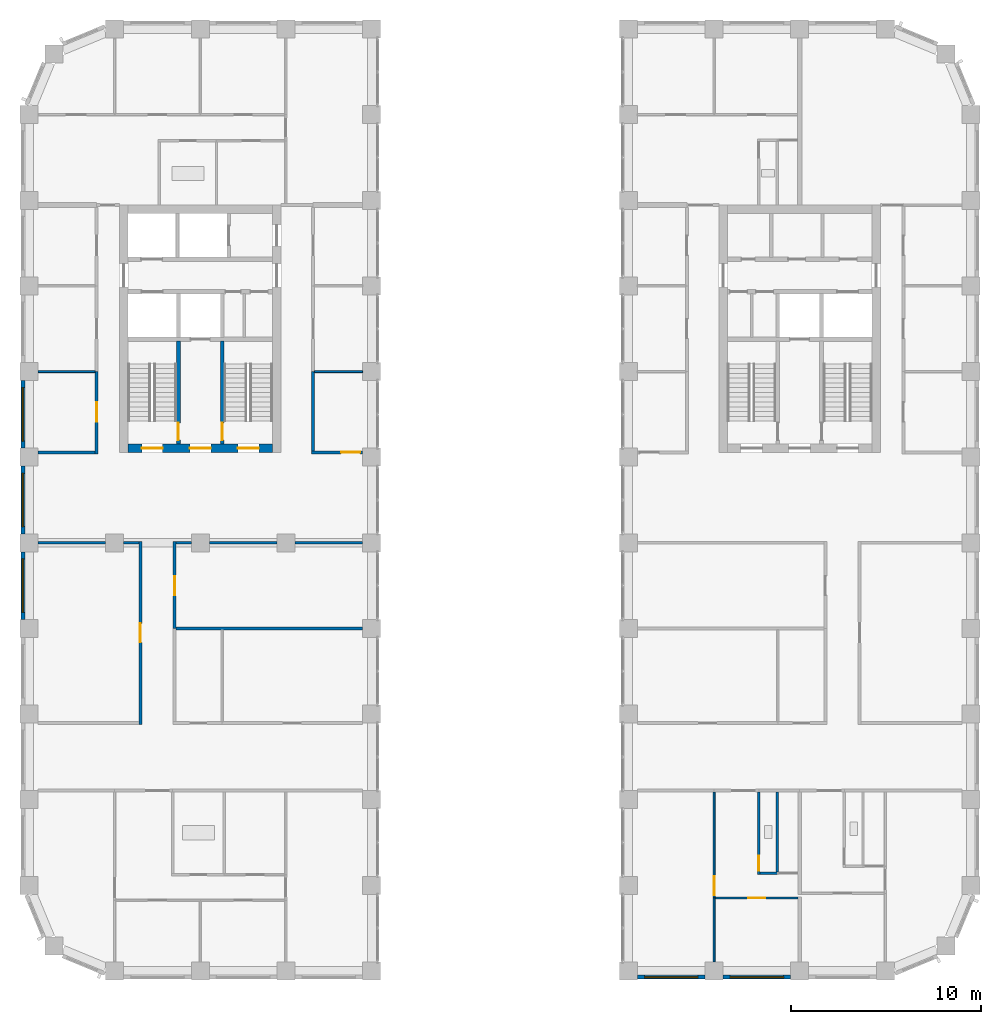
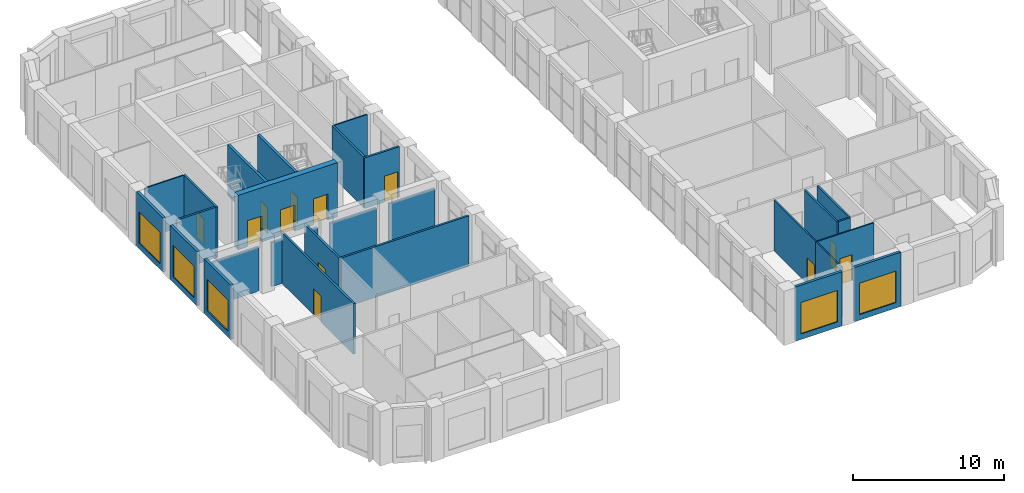
# One storey, part 10 of 19: 28 walls, 12 doors, 5 windows, 17 openings.
"""IFC4 building model written with IfcOpenShell, lengths in metres."""

from ifc_helpers import new_model, si_unit, direction, frame, frame_2d, origin, place, context, subcontext, project, spatial, rectangle, extrude, material, layer, layer_set, type_object, element, fill, save


model = new_model("IFC4")

# Units and contexts
model_context = context("Model", 3, precision=1e-05, world=origin(), true_north=direction((0.0, 1.0)))
body_context = subcontext(model_context, "Body", "Model", "MODEL_VIEW")
ifc_project = project(units=[si_unit("LENGTHUNIT", "METRE"), si_unit("AREAUNIT", "SQUARE_METRE"), si_unit("VOLUMEUNIT", "CUBIC_METRE"), si_unit("PLANEANGLEUNIT", "RADIAN"), si_unit("MASSUNIT", "GRAM", prefix="KILO")], contexts=[model_context])

# Site, building, storey
site_placement = place(None, origin())
site = spatial("IfcSite", under=ifc_project, at=site_placement, CompositionType="ELEMENT")
building_placement = place(site_placement, origin())
building = spatial("IfcBuilding", under=site, at=building_placement, Name="Girih Gate Residences", CompositionType="ELEMENT")
storey_placement = place(building_placement, frame((0.0, 0.0, 163.800048828125)))
storey = spatial("IfcBuildingStorey", under=building, at=storey_placement, Name="L45", CompositionType="ELEMENT", Elevation=163.800048828125)

# Walls
ifc_material_1 = material(Name="Gypsum board on steel studs", Category="steel")
ifc_layer_1 = layer(ifc_material_1, 0.14990234375)
ifc_layer_set_1 = layer_set([ifc_layer_1], Name="Compartment wall 150 mm")
wall_type_1 = type_object("IfcWallType", Name="Compartment wall 150 mm", PredefinedType="PARTITIONING", material=ifc_layer_set_1)
wall_1_placement = place(storey_placement, frame((7.72509765625, 22.5, 0.0), z_axis=(0.0, 0.0, 1.0), x_axis=(1.0, 0.0, 0.0)))
element("IfcWall", 1, at=wall_1_placement, inside=storey, type_object=wall_type_1, Name="L45 partition", PredefinedType="PARTITIONING", context=body_context, shape_type="SweptSolid", body=[
    extrude(rectangle(XDim=0.7998046875, YDim=0.14990234375, at=frame_2d((0.39990234375, 0.0))), origin(), (0.0, 0.0, 1.0), 3.579833984375),
])
for number, where, z_axis, x_axis, name in (
    (2, (9.47509765625, 22.5, 0.0), (0.0, 0.0, 1.0), (1.0, 0.0, 0.0), "L45 partition"),
    (3, (13.97509765625, 22.5, 0.0), (0.0, 0.0, 1.0), (1.0, 0.0, 0.0), "L45 partition"),
):
    element("IfcWall", number, at=place(storey_placement, frame(where, z_axis=z_axis, x_axis=x_axis)), inside=storey, type_object=wall_type_1, Name=name, PredefinedType="PARTITIONING", context=body_context, shape_type="SweptSolid", body=[
        extrude(rectangle(XDim=3.5498046875, YDim=0.14990234375, at=frame_2d((1.77490234375, 0.0))), origin(), (0.0, 0.0, 1.0), 3.579833984375),
    ])

# Wall, opening, door
wall_2_placement = place(storey_placement, frame((7.64990234375, 22.574951171875, 0.0), z_axis=(0.0, 0.0, 1.0), x_axis=(0.0, -1.0, 0.0)))
wall_2 = element("IfcWall", 4, at=wall_2_placement, inside=storey, type_object=wall_type_1, Name="L45 partition", PredefinedType="PARTITIONING", context=body_context, shape_type="SweptSolid", body=[
    extrude(rectangle(XDim=4.574951171875, YDim=0.14990234375, at=frame_2d((2.28759765625, 0.0))), origin(), (0.0, 0.0, 1.0), 4.099853515625),
])
opening_1_placement = place(wall_2_placement, frame((1.824951171875, 0.0, 0.0)))
opening_1 = element("IfcOpeningElement", 5, at=opening_1_placement, cuts=wall_2, Name="Opening A45-031", PredefinedType="OPENING", context=body_context, shape_type="SweptSolid", body=[
    extrude(rectangle(XDim=1.0, YDim=2.10009765625, at=frame_2d((0.5, 1.050048828125))), frame((0.0, 0.0849609375, 0.0), z_axis=(0.0, -1.0, 0.0), x_axis=(1.0, 0.0, 0.0)), (0.0, 0.0, 1.0), 0.169921875),
])
ifc_material_2 = material(Name="Timber, fire-rated core", Category="wood")
door_type_1 = type_object("IfcDoorType", Name="Amenity room door 1000x2100 FD30S", OperationType="NOTDEFINED", PredefinedType="DOOR", material=ifc_material_2)
door_1_placement = place(opening_1_placement, origin())
door_1 = element("IfcDoor", 6, at=door_1_placement, inside=storey, type_object=door_type_1, Name="Door A45-031", OperationType="SINGLE_SWING_RIGHT", OverallHeight=2.10009765625, OverallWidth=1.0, PredefinedType="DOOR", context=body_context, shape_type="SweptSolid", body=[
    extrude(rectangle(XDim=1.0, YDim=2.10009765625, at=frame_2d((0.5, 1.050048828125))), frame((0.0, 0.02490234375, 0.0), z_axis=(0.0, -1.0, 0.0), x_axis=(1.0, 0.0, 0.0)), (0.0, 0.0, 1.0), 0.050048828125),
])
fill(opening_1, door_1)

# Walls
wall_3_placement = place(storey_placement, frame((7.72509765625, 18.0, 0.0), z_axis=(0.0, 0.0, 1.0), x_axis=(1.0, 0.0, 0.0)))
element("IfcWall", 7, at=wall_3_placement, inside=storey, type_object=wall_type_1, Name="L45 partition", PredefinedType="PARTITIONING", context=body_context, shape_type="SweptSolid", body=[
    extrude(rectangle(XDim=9.7998046875, YDim=0.14990234375, at=frame_2d((4.89990234375, 0.0))), origin(), (0.0, 0.0, 1.0), 4.099853515625),
])
wall_4_placement = place(storey_placement, frame((14.925048828125, 27.324951171875, 0.0), z_axis=(0.0, 0.0, 1.0), x_axis=(0.0, 1.0, 0.0)))
element("IfcWall", 8, at=wall_4_placement, inside=storey, type_object=wall_type_1, Name="L45 partition", PredefinedType="PARTITIONING", context=body_context, shape_type="SweptSolid", body=[
    extrude(rectangle(XDim=4.175048828125, YDim=0.14990234375, at=frame_2d((2.08740234375, 0.0))), origin(), (0.0, 0.0, 1.0), 4.099853515625),
])

# Wall, opening, door
wall_5_placement = place(storey_placement, frame((14.85009765625, 27.25, 0.0), z_axis=(0.0, 0.0, 1.0), x_axis=(1.0, 0.0, 0.0)))
wall_5 = element("IfcWall", 9, at=wall_5_placement, inside=storey, type_object=wall_type_1, Name="L45 partition", PredefinedType="PARTITIONING", context=body_context, shape_type="SweptSolid", body=[
    extrude(rectangle(XDim=2.6748046875, YDim=0.14990234375, at=frame_2d((1.33740234375, 0.0))), origin(), (0.0, 0.0, 1.0), 4.099853515625),
])
opening_2_placement = place(wall_5_placement, frame((1.544921875, 0.0, 0.0)))
opening_2 = element("IfcOpeningElement", 10, at=opening_2_placement, cuts=wall_5, Name="Opening A45-043", PredefinedType="OPENING", context=body_context, shape_type="SweptSolid", body=[
    extrude(rectangle(XDim=1.0, YDim=2.10009765625, at=frame_2d((0.5, 1.050048828125))), frame((0.0, 0.0849609375, 0.0), z_axis=(0.0, -1.0, 0.0), x_axis=(1.0, 0.0, 0.0)), (0.0, 0.0, 1.0), 0.169921875),
])
door_2_placement = place(opening_2_placement, origin())
door_2 = element("IfcDoor", 11, at=door_2_placement, inside=storey, type_object=door_type_1, Name="Door A45-043", OperationType="SINGLE_SWING_RIGHT", OverallHeight=2.10009765625, OverallWidth=1.0, PredefinedType="DOOR", context=body_context, shape_type="SweptSolid", body=[
    extrude(rectangle(XDim=1.0, YDim=2.10009765625, at=frame_2d((0.5, 1.050048828125))), frame((0.0, 0.02490234375, 0.0), z_axis=(0.0, -1.0, 0.0), x_axis=(1.0, 0.0, 0.0)), (0.0, 0.0, 1.0), 0.050048828125),
])
fill(opening_2, door_2)

# Wall
wall_6_placement = place(storey_placement, frame((0.47509765625, 27.25, 0.0), z_axis=(0.0, 0.0, 1.0), x_axis=(1.0, 0.0, 0.0)))
element("IfcWall", 12, at=wall_6_placement, inside=storey, type_object=wall_type_1, Name="L45 partition", PredefinedType="PARTITIONING", context=body_context, shape_type="SweptSolid", body=[
    extrude(rectangle(XDim=3.0, YDim=0.14990234375, at=frame_2d((1.5, 0.0))), origin(), (0.0, 0.0, 1.0), 4.099853515625),
])

# Wall, opening, door
wall_7_placement = place(storey_placement, frame((3.550048828125, 27.175048828125, 0.0), z_axis=(0.0, 0.0, 1.0), x_axis=(0.0, 1.0, 0.0)))
wall_7 = element("IfcWall", 13, at=wall_7_placement, inside=storey, type_object=wall_type_1, Name="L45 partition", PredefinedType="PARTITIONING", context=body_context, shape_type="SweptSolid", body=[
    extrude(rectangle(XDim=4.324951171875, YDim=0.14990234375, at=frame_2d((2.16259765625, 0.0))), origin(), (0.0, 0.0, 1.0), 4.099853515625),
])
opening_3_placement = place(wall_7_placement, frame((1.699951171875, 0.0, 0.0)))
opening_3 = element("IfcOpeningElement", 14, at=opening_3_placement, cuts=wall_7, Name="Opening A45-046", PredefinedType="OPENING", context=body_context, shape_type="SweptSolid", body=[
    extrude(rectangle(XDim=1.0, YDim=2.10009765625, at=frame_2d((0.5, 1.050048828125))), frame((0.0, 0.0849609375, 0.0), z_axis=(0.0, -1.0, 0.0), x_axis=(1.0, 0.0, 0.0)), (0.0, 0.0, 1.0), 0.169921875),
])
door_3_placement = place(opening_3_placement, origin())
door_3 = element("IfcDoor", 15, at=door_3_placement, inside=storey, type_object=door_type_1, Name="Door A45-046", OperationType="SINGLE_SWING_RIGHT", OverallHeight=2.10009765625, OverallWidth=1.0, PredefinedType="DOOR", context=body_context, shape_type="SweptSolid", body=[
    extrude(rectangle(XDim=1.0, YDim=2.10009765625, at=frame_2d((0.5, 1.050048828125))), frame((0.0, 0.02490234375, 0.0), z_axis=(0.0, -1.0, 0.0), x_axis=(1.0, 0.0, 0.0)), (0.0, 0.0, 1.0), 0.050048828125),
])
fill(opening_3, door_3)

# Walls
wall_8_placement = place(storey_placement, frame((4.97509765625, 22.5, 0.0), z_axis=(0.0, 0.0, 1.0), x_axis=(1.0, 0.0, 0.0)))
element("IfcWall", 16, at=wall_8_placement, inside=storey, type_object=wall_type_1, Name="L45 partition", PredefinedType="PARTITIONING", context=body_context, shape_type="SweptSolid", body=[
    extrude(rectangle(XDim=0.7998046875, YDim=0.14990234375, at=frame_2d((0.39990234375, 0.0))), origin(), (0.0, 0.0, 1.0), 3.579833984375),
])
wall_9_placement = place(storey_placement, frame((0.47509765625, 22.5, 0.0), z_axis=(0.0, 0.0, 1.0), x_axis=(1.0, 0.0, 0.0)))
element("IfcWall", 17, at=wall_9_placement, inside=storey, type_object=wall_type_1, Name="L45 partition", PredefinedType="PARTITIONING", context=body_context, shape_type="SweptSolid", body=[
    extrude(rectangle(XDim=3.5498046875, YDim=0.14990234375, at=frame_2d((1.77490234375, 0.0))), origin(), (0.0, 0.0, 1.0), 3.579833984375),
])

# Wall, opening, door
wall_10_placement = place(storey_placement, frame((5.85009765625, 12.949951171875, 0.0), z_axis=(0.0, 0.0, 1.0), x_axis=(0.0, 1.0, 0.0)))
wall_10 = element("IfcWall", 18, at=wall_10_placement, inside=storey, type_object=wall_type_1, Name="L45 partition", PredefinedType="PARTITIONING", context=body_context, shape_type="SweptSolid", body=[
    extrude(rectangle(XDim=9.625, YDim=0.14990234375, at=frame_2d((4.8125, 0.0))), origin(), (0.0, 0.0, 1.0), 4.099853515625),
])
opening_4_placement = place(wall_10_placement, frame((4.3125, 0.0, 0.0)))
opening_4 = element("IfcOpeningElement", 19, at=opening_4_placement, cuts=wall_10, Name="Opening A45-050", PredefinedType="OPENING", context=body_context, shape_type="SweptSolid", body=[
    extrude(rectangle(XDim=1.0, YDim=2.10009765625, at=frame_2d((0.5, 1.050048828125))), frame((0.0, 0.0849609375, 0.0), z_axis=(0.0, -1.0, 0.0), x_axis=(1.0, 0.0, 0.0)), (0.0, 0.0, 1.0), 0.169921875),
])
door_4_placement = place(opening_4_placement, origin())
door_4 = element("IfcDoor", 20, at=door_4_placement, inside=storey, type_object=door_type_1, Name="Door A45-050", OperationType="SINGLE_SWING_RIGHT", OverallHeight=2.10009765625, OverallWidth=1.0, PredefinedType="DOOR", context=body_context, shape_type="SweptSolid", body=[
    extrude(rectangle(XDim=1.0, YDim=2.10009765625, at=frame_2d((0.5, 1.050048828125))), frame((0.0, 0.02490234375, 0.0), z_axis=(0.0, -1.0, 0.0), x_axis=(1.0, 0.0, 0.0)), (0.0, 0.0, 1.0), 0.050048828125),
])
fill(opening_4, door_4)

# Wall, openings, doors
ifc_material_3 = material(Name="Concrete C60/75", Category="concrete")
ifc_layer_2 = layer(ifc_material_3, 0.449951171875)
ifc_layer_set_2 = layer_set([ifc_layer_2], Name="Core wall RC 450 Concrete C60/75")
wall_type_2 = type_object("IfcWallType", Name="Core wall RC 450 Concrete C60/75", PredefinedType="SOLIDWALL", material=ifc_layer_set_2)
wall_11_placement = place(storey_placement, frame((5.199951171875, 27.47509765625, 0.0), z_axis=(0.0, 0.0, 1.0), x_axis=(1.0, 0.0, 0.0)))
wall_11 = element("IfcWall", 21, at=wall_11_placement, inside=storey, type_object=wall_type_2, Name="Core wall W-S L45", PredefinedType="SOLIDWALL", context=body_context, shape_type="SweptSolid", body=[
    extrude(rectangle(XDim=7.60009765625, YDim=0.449951171875, at=frame_2d((3.800048828125, 0.0))), origin(), (0.0, 0.0, 1.0), 4.39990234375),
])
opening_5_placement = place(wall_11_placement, frame((0.72509765625, 0.0, 0.0)))
opening_5 = element("IfcOpeningElement", 22, at=opening_5_placement, cuts=wall_11, Name="Opening D-L45-W-009", PredefinedType="OPENING", context=body_context, shape_type="SweptSolid", body=[
    extrude(rectangle(XDim=1.10009765625, YDim=2.10009765625, at=frame_2d((0.550048828125, 1.050048828125))), frame((0.0, 0.23486328125, 0.0), z_axis=(0.0, -1.0, 0.0), x_axis=(1.0, 0.0, 0.0)), (0.0, 0.0, 1.0), 0.469970703125),
])
opening_6_placement = place(wall_11_placement, frame((3.25, 0.0, 0.0)))
opening_6 = element("IfcOpeningElement", 23, at=opening_6_placement, cuts=wall_11, Name="Opening D-L45-W-010", PredefinedType="OPENING", context=body_context, shape_type="SweptSolid", body=[
    extrude(rectangle(XDim=1.10009765625, YDim=2.10009765625, at=frame_2d((0.550048828125, 1.050048828125))), frame((0.0, 0.23486328125, 0.0), z_axis=(0.0, -1.0, 0.0), x_axis=(1.0, 0.0, 0.0)), (0.0, 0.0, 1.0), 0.469970703125),
])
opening_7_placement = place(wall_11_placement, frame((5.77490234375, 0.0, 0.0)))
opening_7 = element("IfcOpeningElement", 24, at=opening_7_placement, cuts=wall_11, Name="Opening D-L45-W-011", PredefinedType="OPENING", context=body_context, shape_type="SweptSolid", body=[
    extrude(rectangle(XDim=1.10009765625, YDim=2.10009765625, at=frame_2d((0.550048828125, 1.050048828125))), frame((0.0, 0.23486328125, 0.0), z_axis=(0.0, -1.0, 0.0), x_axis=(1.0, 0.0, 0.0)), (0.0, 0.0, 1.0), 0.469970703125),
])
ifc_material_4 = material(Name="Painted steel, fire-resisting", Category="steel")
door_type_2 = type_object("IfcDoorType", Name="Fire door 1100x2100", OperationType="SINGLE_SWING_LEFT", PredefinedType="DOOR", material=ifc_material_4)
door_5_placement = place(opening_5_placement, origin())
door_5 = element("IfcDoor", 25, at=door_5_placement, inside=storey, type_object=door_type_2, Name="L45 W core door sta-out", OperationType="SINGLE_SWING_LEFT", OverallHeight=2.10009765625, OverallWidth=1.10009765625, PredefinedType="DOOR", context=body_context, shape_type="SweptSolid", body=[
    extrude(rectangle(XDim=1.10009765625, YDim=2.10009765625, at=frame_2d((0.550048828125, 1.050048828125))), frame((0.0, 0.02490234375, 0.0), z_axis=(0.0, -1.0, 0.0), x_axis=(1.0, 0.0, 0.0)), (0.0, 0.0, 1.0), 0.050048828125),
])
fill(opening_5, door_5)
door_6_placement = place(opening_6_placement, origin())
door_6 = element("IfcDoor", 26, at=door_6_placement, inside=storey, type_object=door_type_2, Name="L45 W core door ffl-out", OperationType="SINGLE_SWING_LEFT", OverallHeight=2.10009765625, OverallWidth=1.10009765625, PredefinedType="DOOR", context=body_context, shape_type="SweptSolid", body=[
    extrude(rectangle(XDim=1.10009765625, YDim=2.10009765625, at=frame_2d((0.550048828125, 1.050048828125))), frame((0.0, 0.02490234375, 0.0), z_axis=(0.0, -1.0, 0.0), x_axis=(1.0, 0.0, 0.0)), (0.0, 0.0, 1.0), 0.050048828125),
])
fill(opening_6, door_6)
door_7_placement = place(opening_7_placement, origin())
door_7 = element("IfcDoor", 27, at=door_7_placement, inside=storey, type_object=door_type_2, Name="L45 W core door stb-out", OperationType="SINGLE_SWING_LEFT", OverallHeight=2.10009765625, OverallWidth=1.10009765625, PredefinedType="DOOR", context=body_context, shape_type="SweptSolid", body=[
    extrude(rectangle(XDim=1.10009765625, YDim=2.10009765625, at=frame_2d((0.550048828125, 1.050048828125))), frame((0.0, 0.02490234375, 0.0), z_axis=(0.0, -1.0, 0.0), x_axis=(1.0, 0.0, 0.0)), (0.0, 0.0, 1.0), 0.050048828125),
])
fill(opening_7, door_7)

# Wall, opening, door
ifc_layer_3 = layer(ifc_material_1, 0.10009765625)
ifc_layer_set_3 = layer_set([ifc_layer_3], Name="Partition 100 mm")
wall_type_3 = type_object("IfcWallType", Name="Partition 100 mm", PredefinedType="PARTITIONING", material=ifc_layer_set_3)
wall_12_placement = place(storey_placement, frame((40.39990234375, 3.8349609375, 0.0), z_axis=(0.0, 0.0, 1.0), x_axis=(-1.0, 0.0, 0.0)))
wall_12 = element("IfcWall", 28, at=wall_12_placement, inside=storey, type_object=wall_type_3, Name="L45 partition", PredefinedType="PARTITIONING", context=body_context, shape_type="SweptSolid", body=[
    extrude(rectangle(XDim=4.349853515625, YDim=0.10009765625, at=frame_2d((2.1748046875, 0.0))), origin(), (0.0, 0.0, 1.0), 4.099853515625),
])
opening_8_placement = place(wall_12_placement, frame((1.699951171875, 0.0, 0.0)))
opening_8 = element("IfcOpeningElement", 29, at=opening_8_placement, cuts=wall_12, Name="Opening A45-021", PredefinedType="OPENING", context=body_context, shape_type="SweptSolid", body=[
    extrude(rectangle(XDim=0.89990234375, YDim=2.10009765625, at=frame_2d((0.449951171875, 1.050048828125))), frame((0.0, 0.06005859375, 0.0), z_axis=(0.0, -1.0, 0.0), x_axis=(1.0, 0.0, 0.0)), (0.0, 0.0, 1.0), 0.1201171875),
])
ifc_material_5 = material(Name="Timber", Category="wood")
door_type_3 = type_object("IfcDoorType", Name="Bedroom door 900x2100", OperationType="NOTDEFINED", PredefinedType="DOOR", material=ifc_material_5)
door_8_placement = place(opening_8_placement, origin())
door_8 = element("IfcDoor", 30, at=door_8_placement, inside=storey, type_object=door_type_3, Name="Door A45-021", OperationType="SINGLE_SWING_LEFT", OverallHeight=2.10009765625, OverallWidth=0.89990234375, PredefinedType="DOOR", context=body_context, shape_type="SweptSolid", body=[
    extrude(rectangle(XDim=0.89990234375, YDim=2.10009765625, at=frame_2d((0.449951171875, 1.050048828125))), frame((0.0, 0.02490234375, 0.0), z_axis=(0.0, -1.0, 0.0), x_axis=(1.0, 0.0, 0.0)), (0.0, 0.0, 1.0), 0.050048828125),
])
fill(opening_8, door_8)

# Wall
wall_13_placement = place(storey_placement, frame((36.0, 0.47509765625, 0.0), z_axis=(0.0, 0.0, 1.0), x_axis=(0.0, 1.0, 0.0)))
element("IfcWall", 31, at=wall_13_placement, inside=storey, type_object=wall_type_3, Name="L45 partition", PredefinedType="PARTITIONING", context=body_context, shape_type="SweptSolid", body=[
    extrude(rectangle(XDim=3.35986328125, YDim=0.10009765625, at=frame_2d((1.679931640625, 0.0))), origin(), (0.0, 0.0, 1.0), 4.099853515625),
])

# Wall, opening, door
wall_14_placement = place(storey_placement, frame((36.0, 3.8349609375, 0.0), z_axis=(0.0, 0.0, 1.0), x_axis=(0.0, 1.0, 0.0)))
wall_14 = element("IfcWall", 32, at=wall_14_placement, inside=storey, type_object=wall_type_3, Name="L45 partition", PredefinedType="PARTITIONING", context=body_context, shape_type="SweptSolid", body=[
    extrude(rectangle(XDim=5.56494140625, YDim=0.10009765625, at=frame_2d((2.782470703125, 0.0))), origin(), (0.0, 0.0, 1.0), 4.099853515625),
])
opening_9_placement = place(wall_14_placement, frame((0.14990234375, 0.0, 0.0)))
opening_9 = element("IfcOpeningElement", 33, at=opening_9_placement, cuts=wall_14, Name="Opening A45-023", PredefinedType="OPENING", context=body_context, shape_type="SweptSolid", body=[
    extrude(rectangle(XDim=1.0, YDim=2.10009765625, at=frame_2d((0.5, 1.050048828125))), frame((0.0, 0.06005859375, 0.0), z_axis=(0.0, -1.0, 0.0), x_axis=(1.0, 0.0, 0.0)), (0.0, 0.0, 1.0), 0.1201171875),
])
door_type_4 = type_object("IfcDoorType", Name="Living room door 1000x2100", OperationType="NOTDEFINED", PredefinedType="DOOR", material=ifc_material_5)
door_9_placement = place(opening_9_placement, origin())
door_9 = element("IfcDoor", 34, at=door_9_placement, inside=storey, type_object=door_type_4, Name="Door A45-023", OperationType="SINGLE_SWING_LEFT", OverallHeight=2.10009765625, OverallWidth=1.0, PredefinedType="DOOR", context=body_context, shape_type="SweptSolid", body=[
    extrude(rectangle(XDim=1.0, YDim=2.10009765625, at=frame_2d((0.5, 1.050048828125))), frame((0.0, 0.02490234375, 0.0), z_axis=(0.0, -1.0, 0.0), x_axis=(1.0, 0.0, 0.0)), (0.0, 0.0, 1.0), 0.050048828125),
])
fill(opening_9, door_9)

# Walls
wall_15_placement = place(storey_placement, frame((15.0, 31.5, 0.0), z_axis=(0.0, 0.0, 1.0), x_axis=(1.0, 0.0, 0.0)))
element("IfcWall", 35, at=wall_15_placement, inside=storey, type_object=wall_type_3, Name="L45 partition", PredefinedType="PARTITIONING", context=body_context, shape_type="SweptSolid", body=[
    extrude(rectangle(XDim=2.52490234375, YDim=0.10009765625, at=frame_2d((1.262451171875, 0.0))), origin(), (0.0, 0.0, 1.0), 4.099853515625),
])
wall_16_placement = place(storey_placement, frame((0.47509765625, 31.5, 0.0), z_axis=(0.0, 0.0, 1.0), x_axis=(1.0, 0.0, 0.0)))
element("IfcWall", 36, at=wall_16_placement, inside=storey, type_object=wall_type_3, Name="L45 partition", PredefinedType="PARTITIONING", context=body_context, shape_type="SweptSolid", body=[
    extrude(rectangle(XDim=3.0, YDim=0.10009765625, at=frame_2d((1.5, 0.0))), origin(), (0.0, 0.0, 1.0), 4.099853515625),
])

# Wall, opening, window
ifc_material_6 = material(Name="Precast concrete C50/60", Category="concrete")
ifc_layer_4 = layer(ifc_material_6, 0.06005859375, Name="Outer leaf")
ifc_material_7 = material(Name="Rigid PIR insulation")
ifc_layer_5 = layer(ifc_material_7, 0.090087890625, Name="Insulation")
ifc_material_8 = material(Name="Precast concrete C40/50", Category="concrete")
ifc_layer_6 = layer(ifc_material_8, 0.050048828125, Name="Inner leaf")
ifc_layer_set_4 = layer_set([ifc_layer_4, ifc_layer_5, ifc_layer_6], Name="Precast concrete C50/60 external wall 200")
wall_type_4 = type_object("IfcWallType", Name="Precast concrete C50/60 external wall 200", PredefinedType="SOLIDWALL", material=ifc_layer_set_4)
wall_17_placement = place(storey_placement, frame((-0.324951171875, 27.47509765625, 0.0), z_axis=(0.0, 0.0, 1.0), x_axis=(0.0, 1.0, 0.0)))
wall_17 = element("IfcWall", 37, at=wall_17_placement, inside=storey, type_object=wall_type_4, Name="External wall W0000_0450.3", PredefinedType="SOLIDWALL", context=body_context, shape_type="SweptSolid", body=[
    extrude(rectangle(XDim=3.5498046875, YDim=0.199951171875, at=frame_2d((1.77490234375, 0.0))), origin(), (0.0, 0.0, 1.0), 4.39990234375),
])
opening_10_placement = place(wall_17_placement, frame((0.375, 0.0, 0.449951171875)))
opening_10 = element("IfcOpeningElement", 38, at=opening_10_placement, cuts=wall_17, Name="Opening W-6A", PredefinedType="OPENING", context=body_context, shape_type="SweptSolid", body=[
    extrude(rectangle(XDim=2.800048828125, YDim=2.550048828125, at=frame_2d((1.39990234375, 1.27490234375))), frame((0.0, 0.10986328125, 0.0), z_axis=(0.0, -1.0, 0.0), x_axis=(1.0, 0.0, 0.0)), (0.0, 0.0, 1.0), 0.219970703125),
])
ifc_material_9 = material(Name="Double glazing in aluminium frame", Category="aluminium")
window_type = type_object("IfcWindowType", Name="Window W-6A 2800x2550", PartitioningType="SINGLE_PANEL", PredefinedType="WINDOW", material=ifc_material_9)
window_1_placement = place(opening_10_placement, origin())
window_1 = element("IfcWindow", 39, at=window_1_placement, inside=storey, type_object=window_type, Name="Window W-6A W0000_0450.3", OverallHeight=2.550048828125, OverallWidth=2.800048828125, PartitioningType="SINGLE_PANEL", PredefinedType="WINDOW", context=body_context, shape_type="SweptSolid", body=[
    extrude(rectangle(XDim=2.800048828125, YDim=2.550048828125, at=frame_2d((1.39990234375, 1.27490234375))), frame((0.0, 0.030029296875, 0.0), z_axis=(0.0, -1.0, 0.0), x_axis=(1.0, 0.0, 0.0)), (0.0, 0.0, 1.0), 0.06005859375),
])
fill(opening_10, window_1)

wall_18_placement = place(storey_placement, frame((-0.324951171875, 22.97509765625, 0.0), z_axis=(0.0, 0.0, 1.0), x_axis=(0.0, 1.0, 0.0)))
wall_18 = element("IfcWall", 40, at=wall_18_placement, inside=storey, type_object=wall_type_4, Name="External wall W0000_0450.4", PredefinedType="SOLIDWALL", context=body_context, shape_type="SweptSolid", body=[
    extrude(rectangle(XDim=3.5498046875, YDim=0.199951171875, at=frame_2d((1.77490234375, 0.0))), origin(), (0.0, 0.0, 1.0), 4.39990234375),
])
opening_11_placement = place(wall_18_placement, frame((0.375, 0.0, 0.449951171875)))
opening_11 = element("IfcOpeningElement", 41, at=opening_11_placement, cuts=wall_18, Name="Opening W-6A", PredefinedType="OPENING", context=body_context, shape_type="SweptSolid", body=[
    extrude(rectangle(XDim=2.800048828125, YDim=2.550048828125, at=frame_2d((1.39990234375, 1.27490234375))), frame((0.0, 0.10986328125, 0.0), z_axis=(0.0, -1.0, 0.0), x_axis=(1.0, 0.0, 0.0)), (0.0, 0.0, 1.0), 0.219970703125),
])
window_2_placement = place(opening_11_placement, origin())
window_2 = element("IfcWindow", 42, at=window_2_placement, inside=storey, type_object=window_type, Name="Window W-6A W0000_0450.4", OverallHeight=2.550048828125, OverallWidth=2.800048828125, PartitioningType="SINGLE_PANEL", PredefinedType="WINDOW", context=body_context, shape_type="SweptSolid", body=[
    extrude(rectangle(XDim=2.800048828125, YDim=2.550048828125, at=frame_2d((1.39990234375, 1.27490234375))), frame((0.0, 0.030029296875, 0.0), z_axis=(0.0, -1.0, 0.0), x_axis=(1.0, 0.0, 0.0)), (0.0, 0.0, 1.0), 0.06005859375),
])
fill(opening_11, window_2)

wall_19_placement = place(storey_placement, frame((-0.324951171875, 18.47509765625, 0.0), z_axis=(0.0, 0.0, 1.0), x_axis=(0.0, 1.0, 0.0)))
wall_19 = element("IfcWall", 43, at=wall_19_placement, inside=storey, type_object=wall_type_4, Name="External wall W0000_0450.5", PredefinedType="SOLIDWALL", context=body_context, shape_type="SweptSolid", body=[
    extrude(rectangle(XDim=3.5498046875, YDim=0.199951171875, at=frame_2d((1.77490234375, 0.0))), origin(), (0.0, 0.0, 1.0), 4.39990234375),
])
opening_12_placement = place(wall_19_placement, frame((0.375, 0.0, 0.449951171875)))
opening_12 = element("IfcOpeningElement", 44, at=opening_12_placement, cuts=wall_19, Name="Opening W-6A", PredefinedType="OPENING", context=body_context, shape_type="SweptSolid", body=[
    extrude(rectangle(XDim=2.800048828125, YDim=2.550048828125, at=frame_2d((1.39990234375, 1.27490234375))), frame((0.0, 0.10986328125, 0.0), z_axis=(0.0, -1.0, 0.0), x_axis=(1.0, 0.0, 0.0)), (0.0, 0.0, 1.0), 0.219970703125),
])
window_3_placement = place(opening_12_placement, origin())
window_3 = element("IfcWindow", 45, at=window_3_placement, inside=storey, type_object=window_type, Name="Window W-6A W0000_0450.5", OverallHeight=2.550048828125, OverallWidth=2.800048828125, PartitioningType="SINGLE_PANEL", PredefinedType="WINDOW", context=body_context, shape_type="SweptSolid", body=[
    extrude(rectangle(XDim=2.800048828125, YDim=2.550048828125, at=frame_2d((1.39990234375, 1.27490234375))), frame((0.0, 0.030029296875, 0.0), z_axis=(0.0, -1.0, 0.0), x_axis=(1.0, 0.0, 0.0)), (0.0, 0.0, 1.0), 0.06005859375),
])
fill(opening_12, window_3)

wall_20_placement = place(storey_placement, frame((35.52490234375, -0.324951171875, 0.0), z_axis=(0.0, 0.0, 1.0), x_axis=(-1.0, 0.0, 0.0)))
wall_20 = element("IfcWall", 46, at=wall_20_placement, inside=storey, type_object=wall_type_4, Name="External wall S0315_0000.0", PredefinedType="SOLIDWALL", context=body_context, shape_type="SweptSolid", body=[
    extrude(rectangle(XDim=3.5498046875, YDim=0.199951171875, at=frame_2d((1.77490234375, 0.0))), origin(), (0.0, 0.0, 1.0), 4.39990234375),
])
opening_13_placement = place(wall_20_placement, frame((0.375, 0.0, 0.449951171875)))
opening_13 = element("IfcOpeningElement", 47, at=opening_13_placement, cuts=wall_20, Name="Opening W-6A", PredefinedType="OPENING", context=body_context, shape_type="SweptSolid", body=[
    extrude(rectangle(XDim=2.800048828125, YDim=2.550048828125, at=frame_2d((1.39990234375, 1.27490234375))), frame((0.0, 0.10986328125, 0.0), z_axis=(0.0, -1.0, 0.0), x_axis=(1.0, 0.0, 0.0)), (0.0, 0.0, 1.0), 0.219970703125),
])
window_4_placement = place(opening_13_placement, origin())
window_4 = element("IfcWindow", 48, at=window_4_placement, inside=storey, type_object=window_type, Name="Window W-6A S0315_0000.0", OverallHeight=2.550048828125, OverallWidth=2.800048828125, PartitioningType="SINGLE_PANEL", PredefinedType="WINDOW", context=body_context, shape_type="SweptSolid", body=[
    extrude(rectangle(XDim=2.800048828125, YDim=2.550048828125, at=frame_2d((1.39990234375, 1.27490234375))), frame((0.0, 0.030029296875, 0.0), z_axis=(0.0, -1.0, 0.0), x_axis=(1.0, 0.0, 0.0)), (0.0, 0.0, 1.0), 0.06005859375),
])
fill(opening_13, window_4)

wall_21_placement = place(storey_placement, frame((40.02490234375, -0.324951171875, 0.0), z_axis=(0.0, 0.0, 1.0), x_axis=(-1.0, 0.0, 0.0)))
wall_21 = element("IfcWall", 49, at=wall_21_placement, inside=storey, type_object=wall_type_4, Name="External wall S0315_0000.1", PredefinedType="SOLIDWALL", context=body_context, shape_type="SweptSolid", body=[
    extrude(rectangle(XDim=3.5498046875, YDim=0.199951171875, at=frame_2d((1.77490234375, 0.0))), origin(), (0.0, 0.0, 1.0), 4.39990234375),
])
opening_14_placement = place(wall_21_placement, frame((0.375, 0.0, 0.449951171875)))
opening_14 = element("IfcOpeningElement", 50, at=opening_14_placement, cuts=wall_21, Name="Opening W-6A", PredefinedType="OPENING", context=body_context, shape_type="SweptSolid", body=[
    extrude(rectangle(XDim=2.800048828125, YDim=2.550048828125, at=frame_2d((1.39990234375, 1.27490234375))), frame((0.0, 0.10986328125, 0.0), z_axis=(0.0, -1.0, 0.0), x_axis=(1.0, 0.0, 0.0)), (0.0, 0.0, 1.0), 0.219970703125),
])
window_5_placement = place(opening_14_placement, origin())
window_5 = element("IfcWindow", 51, at=window_5_placement, inside=storey, type_object=window_type, Name="Window W-6A S0315_0000.1", OverallHeight=2.550048828125, OverallWidth=2.800048828125, PartitioningType="SINGLE_PANEL", PredefinedType="WINDOW", context=body_context, shape_type="SweptSolid", body=[
    extrude(rectangle(XDim=2.800048828125, YDim=2.550048828125, at=frame_2d((1.39990234375, 1.27490234375))), frame((0.0, 0.030029296875, 0.0), z_axis=(0.0, -1.0, 0.0), x_axis=(1.0, 0.0, 0.0)), (0.0, 0.0, 1.0), 0.06005859375),
])
fill(opening_14, window_5)

# Wall, opening, door
ifc_material_10 = material(Name="Concrete C40/50", Category="concrete")
ifc_layer_7 = layer(ifc_material_10, 0.199951171875)
ifc_layer_set_5 = layer_set([ifc_layer_7], Name="Shaft wall 200")
wall_type_5 = type_object("IfcWallType", Name="Shaft wall 200", PredefinedType="SOLIDWALL", material=ifc_layer_set_5)
wall_22_placement = place(storey_placement, frame((7.85009765625, 27.699951171875, 0.0), z_axis=(0.0, 0.0, 1.0), x_axis=(0.0, 1.0, 0.0)))
wall_22 = element("IfcWall", 52, at=wall_22_placement, inside=storey, type_object=wall_type_5, Name="L45 W core wall V1a", PredefinedType="SOLIDWALL", context=body_context, shape_type="SweptSolid", body=[
    extrude(rectangle(XDim=5.400146484375, YDim=0.199951171875, at=frame_2d((2.7001953125, 0.0))), origin(), (0.0, 0.0, 1.0), 4.099853515625),
])
opening_15_placement = place(wall_22_placement, frame((0.199951171875, 0.0, 0.0)))
opening_15 = element("IfcOpeningElement", 53, at=opening_15_placement, cuts=wall_22, Name="Opening D-L45-W-001", PredefinedType="OPENING", context=body_context, shape_type="SweptSolid", body=[
    extrude(rectangle(XDim=0.89990234375, YDim=2.10009765625, at=frame_2d((0.449951171875, 1.050048828125))), frame((0.0, 0.10986328125, 0.0), z_axis=(0.0, -1.0, 0.0), x_axis=(1.0, 0.0, 0.0)), (0.0, 0.0, 1.0), 0.219970703125),
])
door_type_5 = type_object("IfcDoorType", Name="Fire door 900x2100", OperationType="SINGLE_SWING_LEFT", PredefinedType="DOOR", material=ifc_material_4)
door_10_placement = place(opening_15_placement, origin())
door_10 = element("IfcDoor", 54, at=door_10_placement, inside=storey, type_object=door_type_5, Name="L45 W door stair 1 to firefighting lobby", OperationType="SINGLE_SWING_LEFT", OverallHeight=2.10009765625, OverallWidth=0.89990234375, PredefinedType="DOOR", context=body_context, shape_type="SweptSolid", body=[
    extrude(rectangle(XDim=0.89990234375, YDim=2.10009765625, at=frame_2d((0.449951171875, 1.050048828125))), frame((0.0, 0.02490234375, 0.0), z_axis=(0.0, -1.0, 0.0), x_axis=(1.0, 0.0, 0.0)), (0.0, 0.0, 1.0), 0.050048828125),
])
fill(opening_15, door_10)

wall_23_placement = place(storey_placement, frame((10.14990234375, 27.699951171875, 0.0), z_axis=(0.0, 0.0, 1.0), x_axis=(0.0, 1.0, 0.0)))
wall_23 = element("IfcWall", 55, at=wall_23_placement, inside=storey, type_object=wall_type_5, Name="L45 W core wall V2a", PredefinedType="SOLIDWALL", context=body_context, shape_type="SweptSolid", body=[
    extrude(rectangle(XDim=5.400146484375, YDim=0.199951171875, at=frame_2d((2.7001953125, 0.0))), origin(), (0.0, 0.0, 1.0), 4.099853515625),
])
opening_16_placement = place(wall_23_placement, frame((0.199951171875, 0.0, 0.0)))
opening_16 = element("IfcOpeningElement", 56, at=opening_16_placement, cuts=wall_23, Name="Opening D-L45-W-002", PredefinedType="OPENING", context=body_context, shape_type="SweptSolid", body=[
    extrude(rectangle(XDim=0.89990234375, YDim=2.10009765625, at=frame_2d((0.449951171875, 1.050048828125))), frame((0.0, 0.10986328125, 0.0), z_axis=(0.0, -1.0, 0.0), x_axis=(1.0, 0.0, 0.0)), (0.0, 0.0, 1.0), 0.219970703125),
])
door_11_placement = place(opening_16_placement, origin())
door_11 = element("IfcDoor", 57, at=door_11_placement, inside=storey, type_object=door_type_5, Name="L45 W door stair 2 to firefighting lobby", OperationType="SINGLE_SWING_LEFT", OverallHeight=2.10009765625, OverallWidth=0.89990234375, PredefinedType="DOOR", context=body_context, shape_type="SweptSolid", body=[
    extrude(rectangle(XDim=0.89990234375, YDim=2.10009765625, at=frame_2d((0.449951171875, 1.050048828125))), frame((0.0, 0.02490234375, 0.0), z_axis=(0.0, -1.0, 0.0), x_axis=(1.0, 0.0, 0.0)), (0.0, 0.0, 1.0), 0.050048828125),
])
fill(opening_16, door_11)

# Wall
ifc_layer_8 = layer(ifc_material_1, 0.125)
ifc_layer_set_6 = layer_set([ifc_layer_8], Name="Wet room wall 125 mm")
wall_type_6 = type_object("IfcWallType", Name="Wet room wall 125 mm", PredefinedType="PARTITIONING", material=ifc_layer_set_6)
wall_24_placement = place(storey_placement, frame((38.41259765625, 5.135009765625, 0.0), z_axis=(0.0, 0.0, 1.0), x_axis=(1.0, 0.0, 0.0)))
element("IfcWall", 58, at=wall_24_placement, inside=storey, type_object=wall_type_6, Name="L45 partition", PredefinedType="PARTITIONING", context=body_context, shape_type="SweptSolid", body=[
    extrude(rectangle(XDim=0.914794921875, YDim=0.125, at=frame_2d((0.45751953125, 0.0))), origin(), (0.0, 0.0, 1.0), 4.099853515625),
])

# Wall, opening, door
wall_25_placement = place(storey_placement, frame((38.35009765625, 9.39990234375, 0.0), z_axis=(0.0, 0.0, 1.0), x_axis=(0.0, -1.0, 0.0)))
wall_25 = element("IfcWall", 59, at=wall_25_placement, inside=storey, type_object=wall_type_6, Name="L45 partition", PredefinedType="PARTITIONING", context=body_context, shape_type="SweptSolid", body=[
    extrude(rectangle(XDim=4.327392578125, YDim=0.125, at=frame_2d((2.16357421875, 0.0))), origin(), (0.0, 0.0, 1.0), 4.099853515625),
])
opening_17_placement = place(wall_25_placement, frame((3.344970703125, 0.0, 0.0)))
opening_17 = element("IfcOpeningElement", 60, at=opening_17_placement, cuts=wall_25, Name="Opening A45-020", PredefinedType="OPENING", context=body_context, shape_type="SweptSolid", body=[
    extrude(rectangle(XDim=0.800048828125, YDim=2.10009765625, at=frame_2d((0.39990234375, 1.050048828125))), frame((0.0, 0.072509765625, 0.0), z_axis=(0.0, -1.0, 0.0), x_axis=(1.0, 0.0, 0.0)), (0.0, 0.0, 1.0), 0.14501953125),
])
door_type_6 = type_object("IfcDoorType", Name="Bathroom door 800x2100", OperationType="NOTDEFINED", PredefinedType="DOOR", material=ifc_material_5)
door_12_placement = place(opening_17_placement, origin())
door_12 = element("IfcDoor", 61, at=door_12_placement, inside=storey, type_object=door_type_6, Name="Door A45-020", OperationType="SINGLE_SWING_RIGHT", OverallHeight=2.10009765625, OverallWidth=0.800048828125, PredefinedType="DOOR", context=body_context, shape_type="SweptSolid", body=[
    extrude(rectangle(XDim=0.800048828125, YDim=2.10009765625, at=frame_2d((0.39990234375, 1.050048828125))), frame((0.0, 0.02490234375, 0.0), z_axis=(0.0, -1.0, 0.0), x_axis=(1.0, 0.0, 0.0)), (0.0, 0.0, 1.0), 0.050048828125),
])
fill(opening_17, door_12)

# Wall
wall_26_placement = place(storey_placement, frame((39.326904296875, 5.197509765625, 0.0), z_axis=(0.0, 0.0, 1.0), x_axis=(0.0, 1.0, 0.0)))
element("IfcWall", 62, at=wall_26_placement, inside=storey, type_object=wall_type_6, Name="L45 partition", PredefinedType="PARTITIONING", context=body_context, shape_type="SweptSolid", body=[
    extrude(rectangle(XDim=4.202392578125, YDim=0.125, at=frame_2d((2.10107421875, 0.0))), origin(), (0.0, 0.0, 1.0), 4.099853515625),
])

save(model, "model.ifc")
